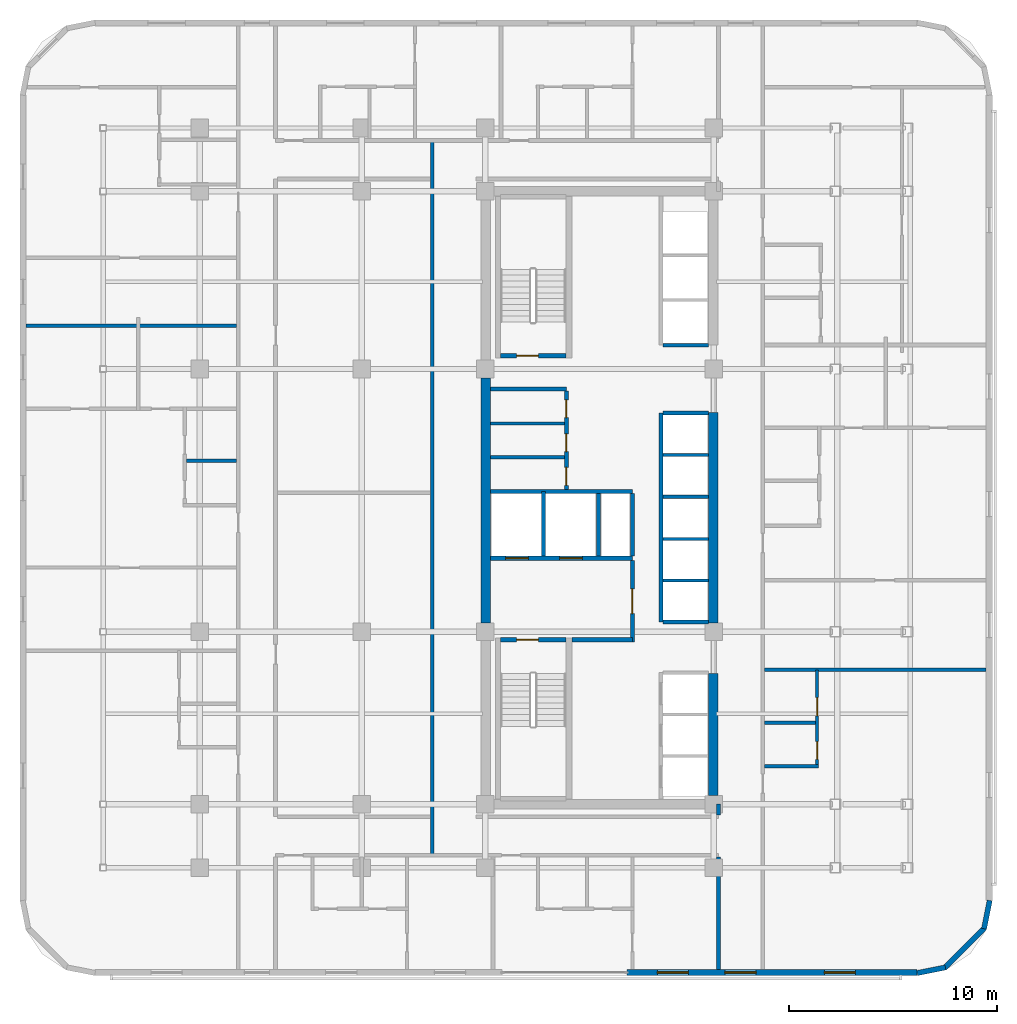
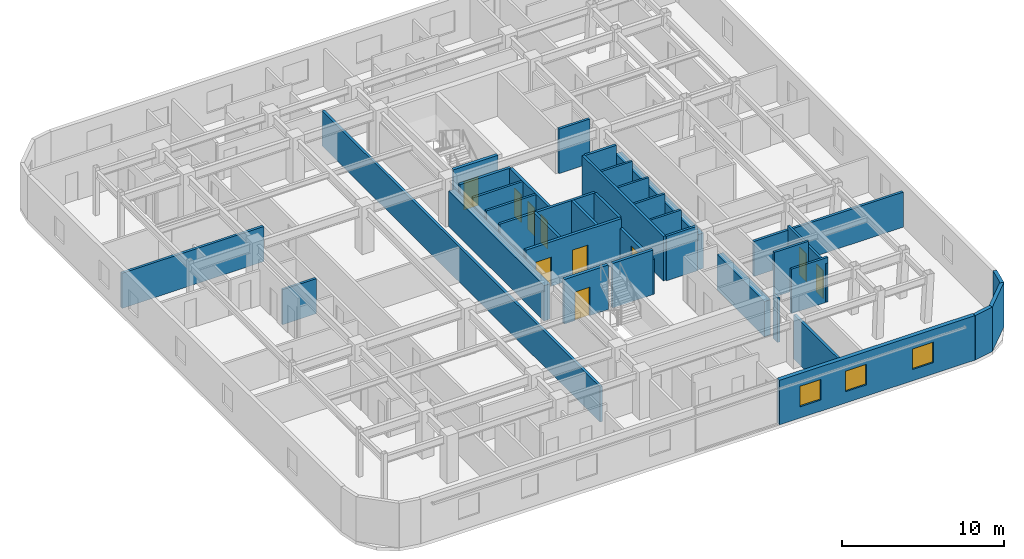
# One storey, part 8 of 15: 37 walls, 10 doors, 3 windows, 13 openings.
"""IFC4 building model written with IfcOpenShell, lengths in metres."""

import ifcopenshell
import ifcopenshell.guid

model = None  # the IFC model being written
_history = None  # IfcOwnerHistory: only IFC2X3 demands one
_inside = {}  # id of a spatial element -> (the spatial element, [elements in it])
_under = {}  # id of a project, library or spatial element -> (it, [spatial elements below it])
_declared = {}  # id of a project -> (the project, [libraries it declares])
_typed = {}  # id of a type object -> (the type object, [elements of that type])
_made_of = {}  # id of a material, layer set ... -> (it, [elements and type objects made of it])


def new_model(schema):
    """Start an empty IFC model of exactly this schema.

    Asked for "IFC4X3", IfcOpenShell would pick the latest addendum, in which some entities
    have other attributes; the version numbers below select the first issue.
    IFC2X3 requires an IfcOwnerHistory on every rooted entity: one is made here for all.
    """
    global model, _history
    if schema == "IFC4X3":
        model = ifcopenshell.file(schema_version=(4, 3, 0, 0))
    else:
        model = ifcopenshell.file(schema=schema)
    _inside.clear()
    _under.clear()
    _declared.clear()
    _typed.clear()
    _made_of.clear()
    _history = None
    if model.schema == "IFC2X3":
        org = make("IfcOrganization", Name="unknown")
        user = make(
            "IfcPersonAndOrganization",
            ThePerson=make("IfcPerson", FamilyName="unknown"),
            TheOrganization=org,
        )
        app = make(
            "IfcApplication",
            ApplicationDeveloper=org,
            Version="unknown",
            ApplicationFullName="unknown",
            ApplicationIdentifier="unknown",
        )
        _history = make(
            "IfcOwnerHistory",
            OwningUser=user,
            OwningApplication=app,
            ChangeAction="ADDED",
            CreationDate=0,
        )
    return model


def make(cls, **values):
    """One entity of the class cls with the attributes given. An attribute that is None is left unset."""
    return model.create_entity(
        cls, **{name: value for name, value in values.items() if value is not None}
    )


def rooted(cls, **values):
    """An entity with a GlobalId (a new one), such as an element, a storey or a relation."""
    return make(cls, GlobalId=ifcopenshell.guid.new(), OwnerHistory=_history, **values)


def si_unit(unit_type, name, prefix=None):
    """IfcSIUnit, for example si_unit("LENGTHUNIT", "METRE", prefix="MILLI")."""
    return make("IfcSIUnit", UnitType=unit_type, Prefix=prefix, Name=name)


def assignment(units):
    """IfcUnitAssignment: the units of a project."""
    return None if units is None else make("IfcUnitAssignment", Units=units)


def point(xyz):
    """IfcCartesianPoint."""
    return None if xyz is None else make("IfcCartesianPoint", Coordinates=xyz)


def direction(xyz):
    """IfcDirection."""
    return None if xyz is None else make("IfcDirection", DirectionRatios=xyz)


def frame(location, z_axis=None, x_axis=None):
    """IfcAxis2Placement3D, a coordinate frame: its origin and axes. An axis left out is left unset."""
    return make(
        "IfcAxis2Placement3D",
        Location=point(location),
        Axis=direction(z_axis),
        RefDirection=direction(x_axis),
    )


def frame_2d(location, x_axis=None):
    """IfcAxis2Placement2D, a coordinate frame in the plane: its origin and x axis."""
    return make(
        "IfcAxis2Placement2D", Location=point(location), RefDirection=direction(x_axis)
    )


def origin():
    """The frame at (0, 0, 0) with its axes left unset."""
    return frame((0.0, 0.0, 0.0))


def place(relative_to, where):
    """IfcLocalPlacement: puts the frame where relative to a parent placement (None: the world)."""
    return make(
        "IfcLocalPlacement", PlacementRelTo=relative_to, RelativePlacement=where
    )


def context(
    kind, dimensions, precision=None, world=None, true_north=None, identifier=None
):
    """IfcGeometricRepresentationContext, for example the 3D "Model" context."""
    return make(
        "IfcGeometricRepresentationContext",
        ContextIdentifier=identifier,
        ContextType=kind,
        CoordinateSpaceDimension=dimensions,
        Precision=precision,
        WorldCoordinateSystem=world,
        TrueNorth=true_north,
    )


def subcontext(parent, identifier, kind, view, scale=None):
    """IfcGeometricRepresentationSubContext, for example "Body" below "Model"."""
    return make(
        "IfcGeometricRepresentationSubContext",
        ContextIdentifier=identifier,
        ContextType=kind,
        ParentContext=parent,
        TargetScale=scale,
        TargetView=view,
    )


def project(units=None, contexts=None):
    """IfcProject with its units and contexts."""
    return rooted(
        "IfcProject",
        Name="project",
        RepresentationContexts=contexts,
        UnitsInContext=assignment(units),
    )


def spatial(cls, under=None, at=None, **own):
    """A site, building, storey or space (cls), placed at a placement, below another one or the project."""
    s = rooted(cls, ObjectPlacement=at, **own)
    if under is not None:
        _under.setdefault(under.id(), (under, []))[1].append(s)
    return s


def profile(cls, at=None, kind="AREA", **sizes):
    """A parametric profile (cls). Its sizes go by their IFC names, for example OverallWidth=200.0."""
    return make(cls, ProfileType=kind, Position=at, **sizes)


def rectangle(**sizes):
    """IfcRectangleProfileDef."""
    return profile("IfcRectangleProfileDef", **sizes)


def extrude(swept, where, along, depth):
    """IfcExtrudedAreaSolid: the profile swept, set in the frame where, extruded along a direction by depth."""
    return make(
        "IfcExtrudedAreaSolid",
        SweptArea=swept,
        Position=where,
        ExtrudedDirection=direction(along),
        Depth=depth,
    )


def shape(context_of_items, identifier, shape_type, items):
    """IfcShapeRepresentation: the items that make up one representation, for example the "Body"."""
    return make(
        "IfcShapeRepresentation",
        ContextOfItems=context_of_items,
        RepresentationIdentifier=identifier,
        RepresentationType=shape_type,
        Items=items,
    )


def material(Name=None, Category=None):
    """IfcMaterial."""
    return make("IfcMaterial", Name=Name, Category=Category)


def layer(
    of_material, thickness, ventilated=None, Name=None, Category=None, Priority=None
):
    """IfcMaterialLayer: one layer of a wall or slab, of a material (None: an air gap)."""
    return make(
        "IfcMaterialLayer",
        Material=of_material,
        LayerThickness=thickness,
        IsVentilated=ventilated,
        Name=Name,
        Category=Category,
        Priority=Priority,
    )


def layer_set(layers, Name=None):
    """IfcMaterialLayerSet."""
    return make("IfcMaterialLayerSet", MaterialLayers=layers, LayerSetName=Name)


def made_of(thing, what):
    """Note that an element or type object is made of a material, layer set ...; save() writes the relation."""
    if what is not None:
        _made_of.setdefault(what.id(), (what, []))[1].append(thing)
    return thing


def type_object(cls, material=None, **own):
    """A type object (cls), such as IfcWallType, which elements share."""
    return made_of(rooted(cls, **own), material)


def element(
    cls,
    number,
    at=None,
    inside=None,
    cuts=None,
    type_object=None,
    material=None,
    context=None,
    identifier="Body",
    shape_type=None,
    held_by="IfcProductDefinitionShape",
    body=None,
    shapes=None,
    **own,
):
    """One element of the class cls, such as IfcWall. Its Tag is "e" and its number.

    at: its placement. inside: the storey or other place that contains it. cuts: it is an
    opening in that element (IfcRelVoidsElement). A single representation is given by context,
    identifier, shape_type and body (its items); several are given by shapes. held_by: the class
    of the entity that holds the representations. save() writes the other relations.
    """
    e = rooted(cls, Tag="e%d" % number, ObjectPlacement=at, **own)
    if body is not None:
        shapes = [shape(context, identifier, shape_type, body)]
    if shapes is not None:
        e.Representation = make(held_by, Representations=shapes)
    if inside is not None:
        _inside.setdefault(inside.id(), (inside, []))[1].append(e)
    if cuts is not None:
        rooted(
            "IfcRelVoidsElement", RelatingBuildingElement=cuts, RelatedOpeningElement=e
        )
    if type_object is not None:
        _typed.setdefault(type_object.id(), (type_object, []))[1].append(e)
    return made_of(e, material)


def fill(opening, filler):
    """IfcRelFillsElement: the door or window that sits in an opening."""
    return rooted(
        "IfcRelFillsElement",
        RelatingOpeningElement=opening,
        RelatedBuildingElement=filler,
    )


def aggregate(whole, parts):
    """IfcRelAggregates: a whole, such as a stair, and the parts it consists of."""
    return rooted("IfcRelAggregates", RelatingObject=whole, RelatedObjects=parts)


def save(model, path):
    """Write the relations noted so far, then the file.

    IfcRelAggregates (storeys below a building ...), IfcRelContainedInSpatialStructure (elements
    in a storey), IfcRelDefinesByType, IfcRelAssociatesMaterial and IfcRelDeclares: one each for
    every whole, place, type object, material and project.
    """
    for whole, parts in _under.values():
        aggregate(whole, parts)
    for where, things in _inside.values():
        rooted(
            "IfcRelContainedInSpatialStructure",
            RelatedElements=things,
            RelatingStructure=where,
        )
    for kind, things in _typed.values():
        rooted("IfcRelDefinesByType", RelatedObjects=things, RelatingType=kind)
    for what, things in _made_of.values():
        rooted("IfcRelAssociatesMaterial", RelatedObjects=things, RelatingMaterial=what)
    for by, libraries in _declared.values():
        rooted("IfcRelDeclares", RelatingContext=by, RelatedDefinitions=libraries)
    model.write(path)


model = new_model("IFC4")

# Units and contexts
model_context = context("Model", 3, precision=1e-05, world=origin(), true_north=direction((0.0, 1.0)))
body_context = subcontext(model_context, "Body", "Model", "MODEL_VIEW")
ifc_project = project(units=[si_unit("LENGTHUNIT", "METRE"), si_unit("AREAUNIT", "SQUARE_METRE"), si_unit("VOLUMEUNIT", "CUBIC_METRE"), si_unit("PLANEANGLEUNIT", "RADIAN"), si_unit("MASSUNIT", "GRAM", prefix="KILO")], contexts=[model_context])

# Site, building, storey
site_placement = place(None, origin())
site = spatial("IfcSite", under=ifc_project, at=site_placement, CompositionType="ELEMENT")
building_placement = place(site_placement, origin())
building = spatial("IfcBuilding", under=site, at=building_placement, Name="Ochreholt Gables", CompositionType="ELEMENT")
storey_placement = place(building_placement, frame((0.0, 0.0, 31.199951171875)))
storey = spatial("IfcBuildingStorey", under=building, at=storey_placement, Name="L07", CompositionType="ELEMENT", Elevation=31.199951171875)

# Walls
ifc_material_1 = material(Name="Concrete 60 MPa", Category="concrete")
ifc_layer_1 = layer(ifc_material_1, 0.449951171875, Name="Concrete 60 MPa")
ifc_layer_set_1 = layer_set([ifc_layer_1], Name="Concrete 60 MPa")
wall_type_1 = type_object("IfcWallType", Name="WALL-CSW-450", PredefinedType="SHEAR", material=ifc_layer_set_1)
wall_1_placement = place(storey_placement, frame((24.22509765625, 17.97509765625, 0.0), z_axis=(0.0, 0.0, 1.0), x_axis=(0.0, 1.0, 0.0)))
element("IfcWall", 1, at=wall_1_placement, inside=storey, type_object=wall_type_1, Name="L07 Core West Shear Wall WM", PredefinedType="SHEAR", context=body_context, shape_type="SweptSolid", body=[
    extrude(rectangle(XDim=11.7998046875, YDim=0.449951171875, at=frame_2d((5.89990234375, 0.0))), origin(), (0.0, 0.0, 1.0), 2.6669921875),
])
wall_2_placement = place(storey_placement, frame((35.175048828125, 9.675048828125, 0.0), z_axis=(0.0, 0.0, 1.0), x_axis=(0.0, 1.0, 0.0)))
element("IfcWall", 2, at=wall_2_placement, inside=storey, type_object=wall_type_1, Name="L07 Core South-East Shear Wall", PredefinedType="SHEAR", context=body_context, shape_type="SweptSolid", body=[
    extrude(rectangle(XDim=5.875, YDim=0.449951171875, at=frame_2d((2.9375, 0.0))), origin(), (0.0, 0.0, 1.0), 2.6669921875),
])
wall_3_placement = place(storey_placement, frame((35.175048828125, 17.97509765625, 0.0), z_axis=(0.0, 0.0, 1.0), x_axis=(0.0, 1.0, 0.0)))
element("IfcWall", 3, at=wall_3_placement, inside=storey, type_object=wall_type_1, Name="L07 Core Central-East Shear Wall", PredefinedType="SHEAR", context=body_context, shape_type="SweptSolid", body=[
    extrude(rectangle(XDim=10.125, YDim=0.449951171875, at=frame_2d((5.0625, 0.0))), origin(), (0.0, 0.0, 1.0), 2.6669921875),
])

# Wall, openings, windows
ifc_material_2 = material(Name="Precast concrete 40 MPa", Category="concrete")
ifc_layer_2 = layer(ifc_material_2, 0.2900390625, Name="Precast concrete 40 MPa")
ifc_layer_set_2 = layer_set([ifc_layer_2], Name="Precast concrete 40 MPa")
wall_type_2 = type_object("IfcWallType", Name="WALL-EXT-290", PredefinedType="SOLIDWALL", material=ifc_layer_set_2)
wall_4_placement = place(storey_placement, frame((31.030029296875, 1.14501953125, 0.0), z_axis=(0.0, 0.0, 1.0), x_axis=(1.0, 0.0, 0.0)))
wall_4 = element("IfcWall", 4, at=wall_4_placement, inside=storey, type_object=wall_type_2, Name="L07 South Facade Wall 2", PredefinedType="SOLIDWALL", context=body_context, shape_type="SweptSolid", body=[
    extrude(rectangle(XDim=13.949951171875, YDim=0.2900390625, at=frame_2d((6.97509765625, 0.0))), origin(), (0.0, 0.0, 1.0), 3.360107421875),
])
opening_1_placement = place(wall_4_placement, frame((1.445068359375, 0.0, 0.85009765625)))
opening_1 = element("IfcOpeningElement", 5, at=opening_1_placement, cuts=wall_4, Name="Opening WN-2", PredefinedType="OPENING", context=body_context, shape_type="SweptSolid", body=[
    extrude(rectangle(XDim=1.5, YDim=1.550048828125, at=frame_2d((0.75, 0.77490234375))), frame((0.0, 0.155029296875, 0.0), z_axis=(0.0, -1.0, 0.0), x_axis=(1.0, 0.0, 0.0)), (0.0, 0.0, 1.0), 0.31005859375),
])
opening_2_placement = place(wall_4_placement, frame((4.705078125, 0.0, 0.85009765625)))
opening_2 = element("IfcOpeningElement", 6, at=opening_2_placement, cuts=wall_4, Name="Opening WN-2", PredefinedType="OPENING", context=body_context, shape_type="SweptSolid", body=[
    extrude(rectangle(XDim=1.5, YDim=1.550048828125, at=frame_2d((0.75, 0.77490234375))), frame((0.0, 0.155029296875, 0.0), z_axis=(0.0, -1.0, 0.0), x_axis=(1.0, 0.0, 0.0)), (0.0, 0.0, 1.0), 0.31005859375),
])
opening_3_placement = place(wall_4_placement, frame((9.485107421875, 0.0, 0.85009765625)))
opening_3 = element("IfcOpeningElement", 7, at=opening_3_placement, cuts=wall_4, Name="Opening WN-2", PredefinedType="OPENING", context=body_context, shape_type="SweptSolid", body=[
    extrude(rectangle(XDim=1.5, YDim=1.550048828125, at=frame_2d((0.75, 0.77490234375))), frame((0.0, 0.155029296875, 0.0), z_axis=(0.0, -1.0, 0.0), x_axis=(1.0, 0.0, 0.0)), (0.0, 0.0, 1.0), 0.31005859375),
])
ifc_material_3 = material(Name="Triple-Glazed Thermally Broken Aluminium Window", Category="aluminium")
window_type = type_object("IfcWindowType", Name="WIN-RES-1500", PartitioningType="SINGLE_PANEL", PredefinedType="WINDOW", material=ifc_material_3)
window_1_placement = place(opening_1_placement, origin())
window_1 = element("IfcWindow", 8, at=window_1_placement, inside=storey, type_object=window_type, Name="L07 Window W-EXT-S2-L07-1", OverallHeight=1.550048828125, OverallWidth=1.5, PartitioningType="SINGLE_PANEL", PredefinedType="WINDOW", context=body_context, shape_type="SweptSolid", body=[
    extrude(rectangle(XDim=1.5, YDim=1.550048828125, at=frame_2d((0.75, 0.77490234375))), frame((0.0, 0.030029296875, 0.0), z_axis=(0.0, -1.0, 0.0), x_axis=(1.0, 0.0, 0.0)), (0.0, 0.0, 1.0), 0.06005859375),
])
fill(opening_1, window_1)
window_2_placement = place(opening_2_placement, origin())
window_2 = element("IfcWindow", 9, at=window_2_placement, inside=storey, type_object=window_type, Name="L07 Window W-EXT-S2-L07-2", OverallHeight=1.550048828125, OverallWidth=1.5, PartitioningType="SINGLE_PANEL", PredefinedType="WINDOW", context=body_context, shape_type="SweptSolid", body=[
    extrude(rectangle(XDim=1.5, YDim=1.550048828125, at=frame_2d((0.75, 0.77490234375))), frame((0.0, 0.030029296875, 0.0), z_axis=(0.0, -1.0, 0.0), x_axis=(1.0, 0.0, 0.0)), (0.0, 0.0, 1.0), 0.06005859375),
])
fill(opening_2, window_2)
window_3_placement = place(opening_3_placement, origin())
window_3 = element("IfcWindow", 10, at=window_3_placement, inside=storey, type_object=window_type, Name="L07 Window W-EXT-S2-L07-3", OverallHeight=1.550048828125, OverallWidth=1.5, PartitioningType="SINGLE_PANEL", PredefinedType="WINDOW", context=body_context, shape_type="SweptSolid", body=[
    extrude(rectangle(XDim=1.5, YDim=1.550048828125, at=frame_2d((0.75, 0.77490234375))), frame((0.0, 0.030029296875, 0.0), z_axis=(0.0, -1.0, 0.0), x_axis=(1.0, 0.0, 0.0)), (0.0, 0.0, 1.0), 0.06005859375),
])
fill(opening_3, window_3)

# Walls
ifc_layer_3 = layer(ifc_material_2, 0.25, Name="Precast concrete 40 MPa")
ifc_layer_set_3 = layer_set([ifc_layer_3], Name="Precast concrete 40 MPa")
wall_type_3 = type_object("IfcWallType", Name="WALL-EXT-CNR", PredefinedType="SOLIDWALL", material=ifc_layer_set_3)
wall_5_placement = place(storey_placement, frame((44.9833984375, 1.124267578125, 0.0), z_axis=(0.0, 0.0, 1.0), x_axis=(0.980809899341, 0.19496651342, 0.0)))
element("IfcWall", 11, at=wall_5_placement, inside=storey, type_object=wall_type_3, Name="L07 Rounded Corner Wall SE-1", PredefinedType="SOLIDWALL", context=body_context, shape_type="SweptSolid", body=[
    extrude(rectangle(XDim=1.388671875, YDim=0.25, at=frame_2d((0.6943359375, 0.0))), origin(), (0.0, 0.0, 1.0), 3.360107421875),
])
wall_6_placement = place(storey_placement, frame((46.294921875, 1.367919921875, 0.0), z_axis=(0.0, 0.0, 1.0), x_axis=(0.707106781187, 0.707106781187, 0.0)))
element("IfcWall", 12, at=wall_6_placement, inside=storey, type_object=wall_type_3, Name="L07 Rounded Corner Wall SE-2", PredefinedType="SOLIDWALL", context=body_context, shape_type="SweptSolid", body=[
    extrude(rectangle(XDim=2.7392578125, YDim=0.25, at=frame_2d((1.36962890625, 0.0))), origin(), (0.0, 0.0, 1.0), 3.360107421875),
])
wall_7_placement = place(storey_placement, frame((48.205078125, 3.25439453125, 0.0), z_axis=(0.0, 0.0, 1.0), x_axis=(0.19496651342, 0.980809899341, 0.0)))
element("IfcWall", 13, at=wall_7_placement, inside=storey, type_object=wall_type_3, Name="L07 Rounded Corner Wall SE-3", PredefinedType="SOLIDWALL", context=body_context, shape_type="SweptSolid", body=[
    extrude(rectangle(XDim=1.388671875, YDim=0.25, at=frame_2d((0.6943359375, 0.0))), origin(), (0.0, 0.0, 1.0), 3.360107421875),
])

# Wall, openings, doors
ifc_material_4 = material(Name="Concrete 40 MPa", Category="concrete")
ifc_layer_4 = layer(ifc_material_4, 0.199951171875, Name="Concrete 40 MPa")
ifc_layer_set_4 = layer_set([ifc_layer_4], Name="Concrete 40 MPa")
wall_type_4 = type_object("IfcWallType", Name="WALL-INT-CF200", PredefinedType="STANDARD", material=ifc_layer_set_4)
wall_8_placement = place(storey_placement, frame((24.449951171875, 21.090087890625, 0.0), z_axis=(0.0, 0.0, 1.0), x_axis=(1.0, 0.0, 0.0)))
wall_8 = element("IfcWall", 14, at=wall_8_placement, inside=storey, type_object=wall_type_4, Name="L07 Interior Wall WI-FFN-L07", PredefinedType="STANDARD", context=body_context, shape_type="SweptSolid", body=[
    extrude(rectangle(XDim=6.830078125, YDim=0.199951171875, at=frame_2d((3.4150390625, 0.0))), origin(), (0.0, 0.0, 1.0), 3.360107421875),
])
opening_4_placement = place(wall_8_placement, frame((0.719970703125, 0.0, 0.0)))
opening_4 = element("IfcOpeningElement", 15, at=opening_4_placement, cuts=wall_8, Name="Opening LD-FF", PredefinedType="OPENING", context=body_context, shape_type="SweptSolid", body=[
    extrude(rectangle(XDim=1.10009765625, YDim=2.199951171875, at=frame_2d((0.550048828125, 1.10009765625))), frame((0.0, 0.10986328125, 0.0), z_axis=(0.0, -1.0, 0.0), x_axis=(1.0, 0.0, 0.0)), (0.0, 0.0, 1.0), 0.219970703125),
])
opening_5_placement = place(wall_8_placement, frame((3.320068359375, 0.0, 0.0)))
opening_5 = element("IfcOpeningElement", 16, at=opening_5_placement, cuts=wall_8, Name="Opening LD-FF", PredefinedType="OPENING", context=body_context, shape_type="SweptSolid", body=[
    extrude(rectangle(XDim=1.10009765625, YDim=2.199951171875, at=frame_2d((0.550048828125, 1.10009765625))), frame((0.0, 0.10986328125, 0.0), z_axis=(0.0, -1.0, 0.0), x_axis=(1.0, 0.0, 0.0)), (0.0, 0.0, 1.0), 0.219970703125),
])
ifc_material_5 = material(Name="Stainless Steel", Category="steel")
door_type_1 = type_object("IfcDoorType", Name="DR-LFT-FF1100", OperationType="NOTDEFINED", PredefinedType="DOOR", material=ifc_material_5)
door_1_placement = place(opening_4_placement, origin())
door_1 = element("IfcDoor", 17, at=door_1_placement, inside=storey, type_object=door_type_1, Name="L07 Door LD-FF1-L07", OperationType="SLIDING_TO_LEFT", OverallHeight=2.199951171875, OverallWidth=1.10009765625, PredefinedType="DOOR", context=body_context, shape_type="SweptSolid", body=[
    extrude(rectangle(XDim=1.10009765625, YDim=2.199951171875, at=frame_2d((0.550048828125, 1.10009765625))), frame((0.0, 0.02490234375, 0.0), z_axis=(0.0, -1.0, 0.0), x_axis=(1.0, 0.0, 0.0)), (0.0, 0.0, 1.0), 0.050048828125),
])
fill(opening_4, door_1)
door_2_placement = place(opening_5_placement, origin())
door_2 = element("IfcDoor", 18, at=door_2_placement, inside=storey, type_object=door_type_1, Name="L07 Door LD-FF2-L07", OperationType="SLIDING_TO_LEFT", OverallHeight=2.199951171875, OverallWidth=1.10009765625, PredefinedType="DOOR", context=body_context, shape_type="SweptSolid", body=[
    extrude(rectangle(XDim=1.10009765625, YDim=2.199951171875, at=frame_2d((0.550048828125, 1.10009765625))), frame((0.0, 0.02490234375, 0.0), z_axis=(0.0, -1.0, 0.0), x_axis=(1.0, 0.0, 0.0)), (0.0, 0.0, 1.0), 0.050048828125),
])
fill(opening_5, door_2)

# Wall
wall_9_placement = place(storey_placement, frame((28.3798828125, 17.169921875, 0.0), z_axis=(0.0, 0.0, 1.0), x_axis=(1.0, 0.0, 0.0)))
element("IfcWall", 19, at=wall_9_placement, inside=storey, type_object=wall_type_4, Name="L07 Interior Wall WI-FFS-L07", PredefinedType="STANDARD", context=body_context, shape_type="SweptSolid", body=[
    extrude(rectangle(XDim=2.900146484375, YDim=0.199951171875, at=frame_2d((1.4501953125, 0.0))), origin(), (0.0, 0.0, 1.0), 3.360107421875),
])

# Wall, opening, door
wall_10_placement = place(storey_placement, frame((31.280029296875, 17.070068359375, 0.0), z_axis=(0.0, 0.0, 1.0), x_axis=(0.0, 1.0, 0.0)))
wall_10 = element("IfcWall", 20, at=wall_10_placement, inside=storey, type_object=wall_type_4, Name="L07 Interior Wall WI-FFE-L07", PredefinedType="STANDARD", context=body_context, shape_type="SweptSolid", body=[
    extrude(rectangle(XDim=3.919921875, YDim=0.199951171875, at=frame_2d((1.9599609375, 0.0))), origin(), (0.0, 0.0, 1.0), 2.649169921875),
])
opening_6_placement = place(wall_10_placement, frame((1.35009765625, 0.0, 0.0)))
opening_6 = element("IfcOpeningElement", 21, at=opening_6_placement, cuts=wall_10, Name="Opening D-FFL", PredefinedType="OPENING", context=body_context, shape_type="SweptSolid", body=[
    extrude(rectangle(XDim=1.199951171875, YDim=2.14990234375, at=frame_2d((0.60009765625, 1.074951171875))), frame((0.0, 0.10986328125, 0.0), z_axis=(0.0, -1.0, 0.0), x_axis=(1.0, 0.0, 0.0)), (0.0, 0.0, 1.0), 0.219970703125),
])
ifc_material_6 = material(Name="Hollow Metal Steel", Category="steel")
door_type_2 = type_object("IfcDoorType", Name="DR-INT-FFL1200", OperationType="NOTDEFINED", PredefinedType="DOOR", material=ifc_material_6)
door_3_placement = place(opening_6_placement, origin())
door_3 = element("IfcDoor", 22, at=door_3_placement, inside=storey, type_object=door_type_2, Name="L07 Door D-FFL-L07", OperationType="SINGLE_SWING_LEFT", OverallHeight=2.14990234375, OverallWidth=1.199951171875, PredefinedType="DOOR", context=body_context, shape_type="SweptSolid", body=[
    extrude(rectangle(XDim=1.199951171875, YDim=2.14990234375, at=frame_2d((0.60009765625, 1.074951171875))), frame((0.0, 0.02490234375, 0.0), z_axis=(0.0, -1.0, 0.0), x_axis=(1.0, 0.0, 0.0)), (0.0, 0.0, 1.0), 0.050048828125),
])
fill(opening_6, door_3)

# Wall
wall_11_placement = place(storey_placement, frame((24.449951171875, 29.239990234375, 0.0), z_axis=(0.0, 0.0, 1.0), x_axis=(1.0, 0.0, 0.0)))
element("IfcWall", 23, at=wall_11_placement, inside=storey, type_object=wall_type_4, Name="L07 Interior Wall WI-SRVN-L07", PredefinedType="STANDARD", context=body_context, shape_type="SweptSolid", body=[
    extrude(rectangle(XDim=3.650146484375, YDim=0.199951171875, at=frame_2d((1.8251953125, 0.0))), origin(), (0.0, 0.0, 1.0), 3.360107421875),
])

# Wall, openings, doors
wall_12_placement = place(storey_placement, frame((28.10009765625, 24.389892578125, 0.0), z_axis=(0.0, 0.0, 1.0), x_axis=(0.0, 1.0, 0.0)))
wall_12 = element("IfcWall", 24, at=wall_12_placement, inside=storey, type_object=wall_type_4, Name="L07 Interior Wall WI-SRVE-L07", PredefinedType="STANDARD", context=body_context, shape_type="SweptSolid", body=[
    extrude(rectangle(XDim=4.75, YDim=0.199951171875, at=frame_2d((2.375, 0.0))), origin(), (0.0, 0.0, 1.0), 3.360107421875),
])
opening_7_placement = place(wall_12_placement, frame((0.2099609375, 0.0, 0.0)))
opening_7 = element("IfcOpeningElement", 25, at=opening_7_placement, cuts=wall_12, Name="Opening D-SV2", PredefinedType="OPENING", context=body_context, shape_type="SweptSolid", body=[
    extrude(rectangle(XDim=0.860107421875, YDim=2.10009765625, at=frame_2d((0.43017578125, 1.050048828125))), frame((0.0, 0.10986328125, 0.0), z_axis=(0.0, -1.0, 0.0), x_axis=(1.0, 0.0, 0.0)), (0.0, 0.0, 1.0), 0.219970703125),
])
opening_8_placement = place(wall_12_placement, frame((1.830078125, 0.0, 0.0)))
opening_8 = element("IfcOpeningElement", 26, at=opening_8_placement, cuts=wall_12, Name="Opening D-SV2", PredefinedType="OPENING", context=body_context, shape_type="SweptSolid", body=[
    extrude(rectangle(XDim=0.860107421875, YDim=2.10009765625, at=frame_2d((0.43017578125, 1.050048828125))), frame((0.0, 0.10986328125, 0.0), z_axis=(0.0, -1.0, 0.0), x_axis=(1.0, 0.0, 0.0)), (0.0, 0.0, 1.0), 0.219970703125),
])
opening_9_placement = place(wall_12_placement, frame((3.469970703125, 0.0, 0.0)))
opening_9 = element("IfcOpeningElement", 27, at=opening_9_placement, cuts=wall_12, Name="Opening D-SV2", PredefinedType="OPENING", context=body_context, shape_type="SweptSolid", body=[
    extrude(rectangle(XDim=0.860107421875, YDim=2.10009765625, at=frame_2d((0.43017578125, 1.050048828125))), frame((0.0, 0.10986328125, 0.0), z_axis=(0.0, -1.0, 0.0), x_axis=(1.0, 0.0, 0.0)), (0.0, 0.0, 1.0), 0.219970703125),
])
door_type_3 = type_object("IfcDoorType", Name="DR-INT-SRV860", OperationType="NOTDEFINED", PredefinedType="DOOR", material=ifc_material_6)
door_4_placement = place(opening_7_placement, origin())
door_4 = element("IfcDoor", 28, at=door_4_placement, inside=storey, type_object=door_type_3, Name="L07 Door D-SRV1-L07", OperationType="SINGLE_SWING_LEFT", OverallHeight=2.10009765625, OverallWidth=0.860107421875, PredefinedType="DOOR", context=body_context, shape_type="SweptSolid", body=[
    extrude(rectangle(XDim=0.860107421875, YDim=2.10009765625, at=frame_2d((0.43017578125, 1.050048828125))), frame((0.0, 0.02490234375, 0.0), z_axis=(0.0, -1.0, 0.0), x_axis=(1.0, 0.0, 0.0)), (0.0, 0.0, 1.0), 0.050048828125),
])
fill(opening_7, door_4)
door_5_placement = place(opening_8_placement, origin())
door_5 = element("IfcDoor", 29, at=door_5_placement, inside=storey, type_object=door_type_3, Name="L07 Door D-SRV2-L07", OperationType="SINGLE_SWING_RIGHT", OverallHeight=2.10009765625, OverallWidth=0.860107421875, PredefinedType="DOOR", context=body_context, shape_type="SweptSolid", body=[
    extrude(rectangle(XDim=0.860107421875, YDim=2.10009765625, at=frame_2d((0.43017578125, 1.050048828125))), frame((0.0, 0.02490234375, 0.0), z_axis=(0.0, -1.0, 0.0), x_axis=(1.0, 0.0, 0.0)), (0.0, 0.0, 1.0), 0.050048828125),
])
fill(opening_8, door_5)
door_6_placement = place(opening_9_placement, origin())
door_6 = element("IfcDoor", 30, at=door_6_placement, inside=storey, type_object=door_type_3, Name="L07 Door D-SRV3-L07", OperationType="SINGLE_SWING_LEFT", OverallHeight=2.10009765625, OverallWidth=0.860107421875, PredefinedType="DOOR", context=body_context, shape_type="SweptSolid", body=[
    extrude(rectangle(XDim=0.860107421875, YDim=2.10009765625, at=frame_2d((0.43017578125, 1.050048828125))), frame((0.0, 0.02490234375, 0.0), z_axis=(0.0, -1.0, 0.0), x_axis=(1.0, 0.0, 0.0)), (0.0, 0.0, 1.0), 0.050048828125),
])
fill(opening_9, door_6)

# Walls
ifc_material_7 = material(Name="Fire-Rated Gypsum Acoustic Partition", Category="gypsum")
ifc_layer_5 = layer(ifc_material_7, 0.179931640625, Name="Fire-Rated Gypsum Acoustic Partition")
ifc_layer_set_5 = layer_set([ifc_layer_5], Name="Fire-Rated Gypsum Acoustic Partition")
wall_type_5 = type_object("IfcWallType", Name="WALL-INT-CR180", PredefinedType="STANDARD", material=ifc_layer_set_5)
wall_13_placement = place(storey_placement, frame((21.64990234375, 6.800048828125, 0.0), z_axis=(0.0, 0.0, 1.0), x_axis=(0.0, 1.0, 0.0)))
element("IfcWall", 31, at=wall_13_placement, inside=storey, type_object=wall_type_5, Name="L07 Interior Wall WI-C1W-L07", PredefinedType="STANDARD", context=body_context, shape_type="SweptSolid", body=[
    extrude(rectangle(XDim=34.39990234375, YDim=0.179931640625, at=frame_2d((17.199951171875, 0.0))), origin(), (0.0, 0.0, 1.0), 2.649169921875),
])
wall_14_placement = place(storey_placement, frame((35.419921875, 8.739990234375, 0.0), z_axis=(0.0, 0.0, 1.0), x_axis=(0.0, 1.0, 0.0)))
element("IfcWall", 32, at=wall_14_placement, inside=storey, type_object=wall_type_5, Name="L07 Interior Wall WI-C1ESW2-L07", PredefinedType="STANDARD", context=body_context, shape_type="SweptSolid", body=[
    extrude(rectangle(XDim=0.510009765625, YDim=0.179931640625, at=frame_2d((0.2548828125, 0.0))), origin(), (0.0, 0.0, 1.0), 3.360107421875),
])
ifc_material_8 = material(Name="Double-Stud Acoustic Demising Wall", Category="gypsum")
ifc_layer_6 = layer(ifc_material_8, 0.179931640625, Name="Double-Stud Acoustic Demising Wall")
ifc_layer_set_6 = layer_set([ifc_layer_6], Name="Double-Stud Acoustic Demising Wall")
wall_type_6 = type_object("IfcWallType", Name="WALL-INT-DM180", PredefinedType="PARTITIONING", material=ifc_layer_set_6)
wall_15_placement = place(storey_placement, frame((35.419921875, 1.2900390625, 0.0), z_axis=(0.0, 0.0, 1.0), x_axis=(0.0, 1.0, 0.0)))
element("IfcWall", 33, at=wall_15_placement, inside=storey, type_object=wall_type_6, Name="L07 Interior Wall WI-C1ESW-L07", PredefinedType="PARTITIONING", context=body_context, shape_type="SweptSolid", body=[
    extrude(rectangle(XDim=5.419921875, YDim=0.179931640625, at=frame_2d((2.7099609375, 0.0))), origin(), (0.0, 0.0, 1.0), 3.360107421875),
])
wall_16_placement = place(storey_placement, frame((37.639892578125, 15.719970703125, 0.0), z_axis=(0.0, 0.0, 1.0), x_axis=(1.0, 0.0, 0.0)))
element("IfcWall", 34, at=wall_16_placement, inside=storey, type_object=wall_type_6, Name="L07 Interior Wall WI-UDE2-L07", PredefinedType="PARTITIONING", context=body_context, shape_type="SweptSolid", body=[
    extrude(rectangle(XDim=10.670166015625, YDim=0.179931640625, at=frame_2d((5.3349609375, 0.0))), origin(), (0.0, 0.0, 1.0), 2.649169921875),
])
wall_17_placement = place(storey_placement, frame((2.090087890625, 32.280029296875, 0.0), z_axis=(0.0, 0.0, 1.0), x_axis=(1.0, 0.0, 0.0)))
element("IfcWall", 35, at=wall_17_placement, inside=storey, type_object=wall_type_6, Name="L07 Interior Wall WI-UDW3-L07", PredefinedType="PARTITIONING", context=body_context, shape_type="SweptSolid", body=[
    extrude(rectangle(XDim=10.119873046875, YDim=0.179931640625, at=frame_2d((5.06005859375, 0.0))), origin(), (0.0, 0.0, 1.0), 2.649169921875),
])
ifc_material_9 = material(Name="Moisture-Resistant Plumbing Chase Wall", Category="gypsum")
ifc_layer_7 = layer(ifc_material_9, 0.159912109375, Name="Moisture-Resistant Plumbing Chase Wall")
ifc_layer_set_7 = layer_set([ifc_layer_7], Name="Moisture-Resistant Plumbing Chase Wall")
wall_type_7 = type_object("IfcWallType", Name="WALL-INT-PL160", PredefinedType="PLUMBINGWALL", material=ifc_layer_set_7)
wall_18_placement = place(storey_placement, frame((37.639892578125, 11.080078125, 0.0), z_axis=(0.0, 0.0, 1.0), x_axis=(1.0, 0.0, 0.0)))
element("IfcWall", 36, at=wall_18_placement, inside=storey, type_object=wall_type_7, Name="L07 Interior Wall WU-L07E1-WYS", PredefinedType="PLUMBINGWALL", context=body_context, shape_type="SweptSolid", body=[
    extrude(rectangle(XDim=2.606201171875, YDim=0.159912109375, at=frame_2d((1.30322265625, 0.0))), origin(), (0.0, 0.0, 1.0), 3.360107421875),
])

# Wall, openings, doors
wall_19_placement = place(storey_placement, frame((40.166015625, 10.989990234375, 0.0), z_axis=(0.0, 0.0, 1.0), x_axis=(0.0, 1.0, 0.0)))
wall_19 = element("IfcWall", 37, at=wall_19_placement, inside=storey, type_object=wall_type_7, Name="L07 Interior Wall WU-L07E1-WX", PredefinedType="PLUMBINGWALL", context=body_context, shape_type="SweptSolid", body=[
    extrude(rectangle(XDim=4.72998046875, YDim=0.159912109375, at=frame_2d((2.364990234375, 0.0))), origin(), (0.0, 0.0, 1.0), 2.93212890625),
])
opening_10_placement = place(wall_19_placement, frame((0.419921875, 0.0, 0.0)))
opening_10 = element("IfcOpeningElement", 38, at=opening_10_placement, cuts=wall_19, Name="Opening D-BT1", PredefinedType="OPENING", context=body_context, shape_type="SweptSolid", body=[
    extrude(rectangle(XDim=0.860107421875, YDim=2.1201171875, at=frame_2d((0.43017578125, 1.06005859375))), frame((0.0, 0.08984375, 0.0), z_axis=(0.0, -1.0, 0.0), x_axis=(1.0, 0.0, 0.0)), (0.0, 0.0, 1.0), 0.179931640625),
])
opening_11_placement = place(wall_19_placement, frame((2.512939453125, 0.0, 0.0)))
opening_11 = element("IfcOpeningElement", 39, at=opening_11_placement, cuts=wall_19, Name="Opening D-GN2", PredefinedType="OPENING", context=body_context, shape_type="SweptSolid", body=[
    extrude(rectangle(XDim=0.8798828125, YDim=2.1201171875, at=frame_2d((0.43994140625, 1.06005859375))), frame((0.0, 0.08984375, 0.0), z_axis=(0.0, -1.0, 0.0), x_axis=(1.0, 0.0, 0.0)), (0.0, 0.0, 1.0), 0.179931640625),
])
ifc_material_10 = material(Name="Engineered Oak Timber", Category="wood")
door_type_4 = type_object("IfcDoorType", Name="DR-INT-BTH860", OperationType="NOTDEFINED", PredefinedType="DOOR", material=ifc_material_10)
door_7_placement = place(opening_10_placement, origin())
door_7 = element("IfcDoor", 40, at=door_7_placement, inside=storey, type_object=door_type_4, Name="L07 Door D-U-L07E1-BTH", OperationType="SINGLE_SWING_LEFT", OverallHeight=2.1201171875, OverallWidth=0.860107421875, PredefinedType="DOOR", context=body_context, shape_type="SweptSolid", body=[
    extrude(rectangle(XDim=0.860107421875, YDim=2.1201171875, at=frame_2d((0.43017578125, 1.06005859375))), frame((0.0, 0.02490234375, 0.0), z_axis=(0.0, -1.0, 0.0), x_axis=(1.0, 0.0, 0.0)), (0.0, 0.0, 1.0), 0.050048828125),
])
fill(opening_10, door_7)
door_type_5 = type_object("IfcDoorType", Name="DR-INT-GEN880", OperationType="NOTDEFINED", PredefinedType="DOOR", material=ifc_material_10)
door_8_placement = place(opening_11_placement, origin())
door_8 = element("IfcDoor", 41, at=door_8_placement, inside=storey, type_object=door_type_5, Name="L07 Door D-U-L07E1-KIT", OperationType="SINGLE_SWING_RIGHT", OverallHeight=2.1201171875, OverallWidth=0.8798828125, PredefinedType="DOOR", context=body_context, shape_type="SweptSolid", body=[
    extrude(rectangle(XDim=0.8798828125, YDim=2.1201171875, at=frame_2d((0.43994140625, 1.06005859375))), frame((0.0, 0.02490234375, 0.0), z_axis=(0.0, -1.0, 0.0), x_axis=(1.0, 0.0, 0.0)), (0.0, 0.0, 1.0), 0.050048828125),
])
fill(opening_11, door_8)

# Walls
wall_20_placement = place(storey_placement, frame((37.639892578125, 13.173095703125, 0.0), z_axis=(0.0, 0.0, 1.0), x_axis=(1.0, 0.0, 0.0)))
element("IfcWall", 42, at=wall_20_placement, inside=storey, type_object=wall_type_7, Name="L07 Interior Wall WU-L07E1-WM", PredefinedType="PLUMBINGWALL", context=body_context, shape_type="SweptSolid", body=[
    extrude(rectangle(XDim=2.446044921875, YDim=0.159912109375, at=frame_2d((1.22314453125, 0.0))), origin(), (0.0, 0.0, 1.0), 3.360107421875),
])
wall_21_placement = place(storey_placement, frame((9.81005859375, 25.779052734375, 0.0), z_axis=(0.0, 0.0, 1.0), x_axis=(1.0, 0.0, 0.0)))
element("IfcWall", 43, at=wall_21_placement, inside=storey, type_object=wall_type_7, Name="L07 Interior Wall WU-L07W2-WK", PredefinedType="PLUMBINGWALL", context=body_context, shape_type="SweptSolid", body=[
    extrude(rectangle(XDim=2.39990234375, YDim=0.159912109375, at=frame_2d((1.199951171875, 0.0))), origin(), (0.0, 0.0, 1.0), 2.649169921875),
])
ifc_material_11 = material(Name="Gypsum Acoustic Stud Partition", Category="gypsum")
ifc_layer_8 = layer(ifc_material_11, 0.159912109375, Name="Gypsum Acoustic Stud Partition")
ifc_layer_set_8 = layer_set([ifc_layer_8], Name="Gypsum Acoustic Stud Partition")
wall_type_8 = type_object("IfcWallType", Name="WALL-INT-PT160", PredefinedType="PARTITIONING", material=ifc_layer_set_8)
for number, where, z_axis, x_axis, name in (
    (44, (24.449951171875, 25.949951171875, 0.0), (0.0, 0.0, 1.0), (1.0, 0.0, 0.0), "L07 Interior Wall WI-SRVP1-L07"),
    (45, (24.449951171875, 27.580078125, 0.0), (0.0, 0.0, 1.0), (1.0, 0.0, 0.0), "L07 Interior Wall WI-SRVP2-L07"),
):
    element("IfcWall", number, at=place(storey_placement, frame(where, z_axis=z_axis, x_axis=x_axis)), inside=storey, type_object=wall_type_8, Name=name, PredefinedType="PARTITIONING", context=body_context, shape_type="SweptSolid", body=[
        extrude(rectangle(XDim=3.550048828125, YDim=0.159912109375, at=frame_2d((1.77490234375, 0.0))), origin(), (0.0, 0.0, 1.0), 3.360107421875),
    ])
ifc_material_12 = material(Name="Gypsum Shaftliner and Steel Stud", Category="steel")
ifc_layer_9 = layer(ifc_material_12, 0.14990234375, Name="Gypsum Shaftliner and Steel Stud")
ifc_layer_set_9 = layer_set([ifc_layer_9], Name="Gypsum Shaftliner and Steel Stud")
wall_type_9 = type_object("IfcWallType", Name="WALL-INT-SH150", PredefinedType="STANDARD", material=ifc_layer_set_9)
for number, where, z_axis, x_axis, name in (
    (46, (32.739990234375, 20.02001953125, 0.0), (0.0, 0.0, 1.0), (1.0, 0.0, 0.0), "L07 Interior Wall WI-LFHE-DH1-L07"),
    (47, (32.739990234375, 22.02001953125, 0.0), (0.0, 0.0, 1.0), (1.0, 0.0, 0.0), "L07 Interior Wall WI-LFHE-DH2-L07"),
    (48, (32.739990234375, 24.050048828125, 0.0), (0.0, 0.0, 1.0), (1.0, 0.0, 0.0), "L07 Interior Wall WI-LFHE-DHE-L07"),
    (49, (32.739990234375, 26.070068359375, 0.0), (0.0, 0.0, 1.0), (1.0, 0.0, 0.0), "L07 Interior Wall WI-LFHE-DEX1-L07"),
):
    element("IfcWall", number, at=place(storey_placement, frame(where, z_axis=z_axis, x_axis=x_axis)), inside=storey, type_object=wall_type_9, Name=name, PredefinedType="STANDARD", context=body_context, shape_type="SweptSolid", body=[
        extrude(rectangle(XDim=2.2099609375, YDim=0.14990234375, at=frame_2d((1.10498046875, 0.0))), origin(), (0.0, 0.0, 1.0), 3.360107421875),
    ])
ifc_layer_10 = layer(ifc_material_12, 0.179931640625, Name="Gypsum Shaftliner and Steel Stud")
ifc_layer_set_10 = layer_set([ifc_layer_10], Name="Gypsum Shaftliner and Steel Stud")
wall_type_10 = type_object("IfcWallType", Name="WALL-INT-SH180", PredefinedType="STANDARD", material=ifc_layer_set_10)
wall_22_placement = place(storey_placement, frame((27.0, 21.18994140625, 0.0), z_axis=(0.0, 0.0, 1.0), x_axis=(0.0, 1.0, 0.0)))
element("IfcWall", 50, at=wall_22_placement, inside=storey, type_object=wall_type_10, Name="L07 Interior Wall WI-FFDIV-L07", PredefinedType="STANDARD", context=body_context, shape_type="SweptSolid", body=[
    extrude(rectangle(XDim=3.110107421875, YDim=0.179931640625, at=frame_2d((1.55517578125, 0.0))), origin(), (0.0, 0.0, 1.0), 3.360107421875),
])
wall_23_placement = place(storey_placement, frame((24.449951171875, 24.300048828125, 0.0), z_axis=(0.0, 0.0, 1.0), x_axis=(1.0, 0.0, 0.0)))
element("IfcWall", 51, at=wall_23_placement, inside=storey, type_object=wall_type_10, Name="L07 Interior Wall WI-FFBK-L07", PredefinedType="STANDARD", context=body_context, shape_type="SweptSolid", body=[
    extrude(rectangle(XDim=6.830078125, YDim=0.179931640625, at=frame_2d((3.4150390625, 0.0))), origin(), (0.0, 0.0, 1.0), 3.360107421875),
])
for number, where, z_axis, x_axis, name in (
    (52, (29.64990234375, 21.18994140625, 0.0), (0.0, 0.0, 1.0), (0.0, 1.0, 0.0), "L07 Interior Wall WI-FFSH-L07"),
    (53, (31.280029296875, 21.18994140625, 0.0), (0.0, 0.0, 1.0), (0.0, 1.0, 0.0), "L07 Interior Wall WI-RSE-L07"),
):
    element("IfcWall", number, at=place(storey_placement, frame(where, z_axis=z_axis, x_axis=x_axis)), inside=storey, type_object=wall_type_10, Name=name, PredefinedType="STANDARD", context=body_context, shape_type="SweptSolid", body=[
        extrude(rectangle(XDim=3.02001953125, YDim=0.179931640625, at=frame_2d((1.510009765625, 0.0))), origin(), (0.0, 0.0, 1.0), 3.360107421875),
    ])
wall_24_placement = place(storey_placement, frame((32.64990234375, 18.02001953125, 0.0), z_axis=(0.0, 0.0, 1.0), x_axis=(0.0, 1.0, 0.0)))
element("IfcWall", 54, at=wall_24_placement, inside=storey, type_object=wall_type_10, Name="L07 Interior Wall WI-LFHE-FR-L07", PredefinedType="STANDARD", context=body_context, shape_type="SweptSolid", body=[
    extrude(rectangle(XDim=10.06005859375, YDim=0.179931640625, at=frame_2d((5.030029296875, 0.0))), origin(), (0.0, 0.0, 1.0), 3.360107421875),
])
for number, where, z_axis, x_axis, name in (
    (55, (32.739990234375, 18.02001953125, 0.0), (0.0, 0.0, 1.0), (1.0, 0.0, 0.0), "L07 Interior Wall WI-LFHE-S-L07"),
    (56, (32.739990234375, 28.080078125, 0.0), (0.0, 0.0, 1.0), (1.0, 0.0, 0.0), "L07 Interior Wall WI-LFHE-N-L07"),
    (57, (32.739990234375, 31.35009765625, 0.0), (0.0, 0.0, 1.0), (1.0, 0.0, 0.0), "L07 Interior Wall WI-LFM-S-L07"),
):
    element("IfcWall", number, at=place(storey_placement, frame(where, z_axis=z_axis, x_axis=x_axis)), inside=storey, type_object=wall_type_10, Name=name, PredefinedType="STANDARD", context=body_context, shape_type="SweptSolid", body=[
        extrude(rectangle(XDim=2.2099609375, YDim=0.179931640625, at=frame_2d((1.10498046875, 0.0))), origin(), (0.0, 0.0, 1.0), 3.360107421875),
    ])

# Wall, opening, door
ifc_material_13 = material(Name="Concrete 50 MPa", Category="concrete")
ifc_layer_11 = layer(ifc_material_13, 0.219970703125, Name="Concrete 50 MPa")
ifc_layer_set_11 = layer_set([ifc_layer_11], Name="Concrete 50 MPa")
wall_type_11 = type_object("IfcWallType", Name="WALL-STW-220", PredefinedType="SHEAR", material=ifc_layer_set_11)
wall_25_placement = place(storey_placement, frame((24.919921875, 17.169921875, 0.0), z_axis=(0.0, 0.0, 1.0), x_axis=(1.0, 0.0, 0.0)))
wall_25 = element("IfcWall", 58, at=wall_25_placement, inside=storey, type_object=wall_type_11, Name="L07 Exit Stair 1 North Wall", PredefinedType="SHEAR", context=body_context, shape_type="SweptSolid", body=[
    extrude(rectangle(XDim=3.16015625, YDim=0.219970703125, at=frame_2d((1.580078125, 0.0))), origin(), (0.0, 0.0, 1.0), 3.360107421875),
])
opening_12_placement = place(wall_25_placement, frame((0.780029296875, 0.0, 0.0)))
opening_12 = element("IfcOpeningElement", 59, at=opening_12_placement, cuts=wall_25, Name="Opening D-STC", PredefinedType="OPENING", context=body_context, shape_type="SweptSolid", body=[
    extrude(rectangle(XDim=1.050048828125, YDim=2.14990234375, at=frame_2d((0.52490234375, 1.074951171875))), frame((0.0, 0.119873046875, 0.0), z_axis=(0.0, -1.0, 0.0), x_axis=(1.0, 0.0, 0.0)), (0.0, 0.0, 1.0), 0.239990234375),
])
door_type_6 = type_object("IfcDoorType", Name="DR-INT-ST1050", OperationType="NOTDEFINED", PredefinedType="DOOR", material=ifc_material_6)
door_9_placement = place(opening_12_placement, frame((1.050048828125, 0.0, 0.0), z_axis=(0.0, 0.0, 1.0), x_axis=(-1.0, 0.0, 0.0)))
door_9 = element("IfcDoor", 60, at=door_9_placement, inside=storey, type_object=door_type_6, Name="L07 Door D-ST1-L07", OperationType="SINGLE_SWING_LEFT", OverallHeight=2.14990234375, OverallWidth=1.050048828125, PredefinedType="DOOR", context=body_context, shape_type="SweptSolid", body=[
    extrude(rectangle(XDim=1.050048828125, YDim=2.14990234375, at=frame_2d((0.52490234375, 1.074951171875))), frame((0.0, 0.02490234375, 0.0), z_axis=(0.0, -1.0, 0.0), x_axis=(1.0, 0.0, 0.0)), (0.0, 0.0, 1.0), 0.050048828125),
])
fill(opening_12, door_9)

wall_26_placement = place(storey_placement, frame((24.919921875, 30.830078125, 0.0), z_axis=(0.0, 0.0, 1.0), x_axis=(1.0, 0.0, 0.0)))
wall_26 = element("IfcWall", 61, at=wall_26_placement, inside=storey, type_object=wall_type_11, Name="L07 Exit Stair 2 South Wall", PredefinedType="SHEAR", context=body_context, shape_type="SweptSolid", body=[
    extrude(rectangle(XDim=3.16015625, YDim=0.219970703125, at=frame_2d((1.580078125, 0.0))), origin(), (0.0, 0.0, 1.0), 3.360107421875),
])
opening_13_placement = place(wall_26_placement, frame((0.780029296875, 0.0, 0.0)))
opening_13 = element("IfcOpeningElement", 62, at=opening_13_placement, cuts=wall_26, Name="Opening D-STC", PredefinedType="OPENING", context=body_context, shape_type="SweptSolid", body=[
    extrude(rectangle(XDim=1.050048828125, YDim=2.14990234375, at=frame_2d((0.52490234375, 1.074951171875))), frame((0.0, 0.119873046875, 0.0), z_axis=(0.0, -1.0, 0.0), x_axis=(1.0, 0.0, 0.0)), (0.0, 0.0, 1.0), 0.239990234375),
])
door_10_placement = place(opening_13_placement, origin())
door_10 = element("IfcDoor", 63, at=door_10_placement, inside=storey, type_object=door_type_6, Name="L07 Door D-ST2-L07", OperationType="SINGLE_SWING_RIGHT", OverallHeight=2.14990234375, OverallWidth=1.050048828125, PredefinedType="DOOR", context=body_context, shape_type="SweptSolid", body=[
    extrude(rectangle(XDim=1.050048828125, YDim=2.14990234375, at=frame_2d((0.52490234375, 1.074951171875))), frame((0.0, 0.02490234375, 0.0), z_axis=(0.0, -1.0, 0.0), x_axis=(1.0, 0.0, 0.0)), (0.0, 0.0, 1.0), 0.050048828125),
])
fill(opening_13, door_10)

save(model, "model.ifc")
